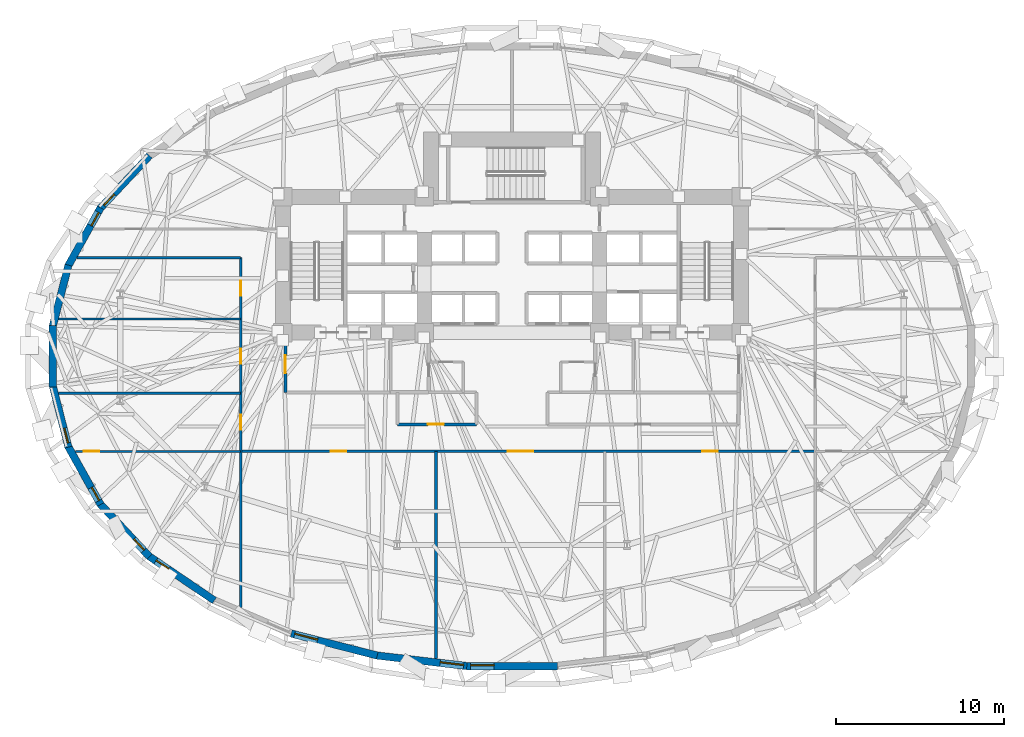
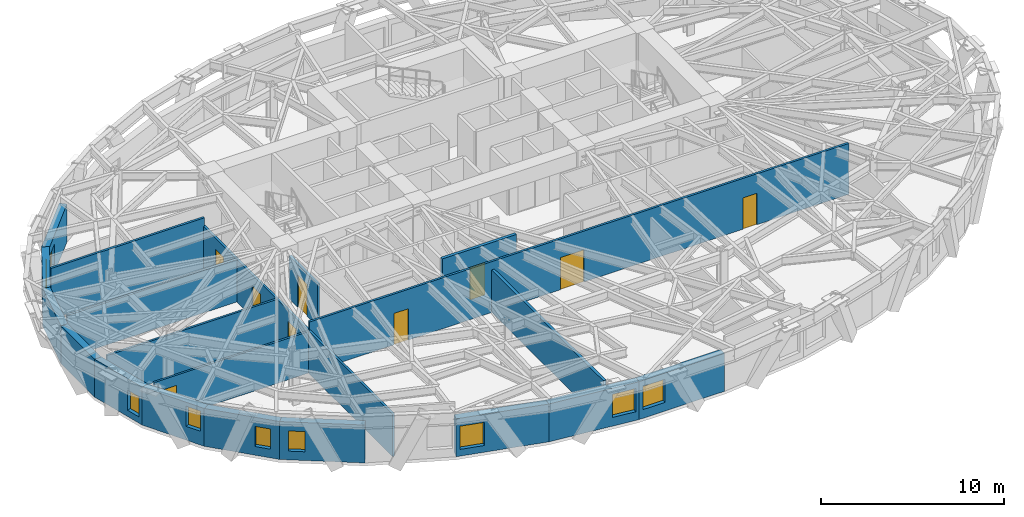
# One storey, part 6 of 14: 20 walls, 9 doors, 9 windows, 18 openings.
"""IFC4 building model written with IfcOpenShell, lengths in metres."""

from ifc_helpers import new_model, si_unit, direction, frame, frame_2d, origin, place, context, subcontext, project, spatial, rectangle, extrude, material, layer, layer_set, type_object, element, fill, save


model = new_model("IFC4")

# Units and contexts
model_context = context("Model", 3, precision=1e-05, world=origin(), true_north=direction((0.0, 1.0)))
body_context = subcontext(model_context, "Body", "Model", "MODEL_VIEW")
ifc_project = project(units=[si_unit("LENGTHUNIT", "METRE"), si_unit("AREAUNIT", "SQUARE_METRE"), si_unit("VOLUMEUNIT", "CUBIC_METRE"), si_unit("PLANEANGLEUNIT", "RADIAN"), si_unit("MASSUNIT", "GRAM", prefix="KILO")], contexts=[model_context])

# Site, building, storey
site_placement = place(None, origin())
site = spatial("IfcSite", under=ifc_project, at=site_placement, CompositionType="ELEMENT")
building_placement = place(site_placement, origin())
building = spatial("IfcBuilding", under=site, at=building_placement, Name="Keldmark Tower", CompositionType="ELEMENT")
storey_placement = place(building_placement, frame((0.0, 0.0, 52.199951171875)))
storey = spatial("IfcBuildingStorey", under=building, at=storey_placement, Name="L13", CompositionType="ELEMENT", Elevation=52.199951171875)

# Wall, openings, doors
ifc_material_1 = material(Name="Acoustic Double-Layer Gypsum Corridor Partition", Category="gypsum")
ifc_layer_1 = layer(ifc_material_1, 0.139892578125)
ifc_layer_set_1 = layer_set([ifc_layer_1], Name="Acoustic Double-Layer Gypsum Corridor Partition")
wall_type_1 = type_object("IfcWallType", Name="Acoustic Corridor Partition 140 mm", PredefinedType="PARTITIONING", material=ifc_layer_set_1)
wall_1_placement = place(storey_placement, frame((-16.10009765625, -5.64990234375, 0.0), z_axis=(0.0, 0.0, 1.0), x_axis=(1.0, 0.0, 0.0)))
wall_1 = element("IfcWall", 1, at=wall_1_placement, inside=storey, type_object=wall_type_1, Name="L13 Acoustic Corridor Partition 140 mm COR-S", PredefinedType="PARTITIONING", context=body_context, shape_type="SweptSolid", body=[
    extrude(rectangle(XDim=34.10009765625, YDim=0.139892578125, at=frame_2d((17.050048828125, 0.0))), origin(), (0.0, 0.0, 1.0), 3.400146484375),
])
opening_1_placement = place(wall_1_placement, frame((5.35009765625, 0.0, 0.0)))
opening_1 = element("IfcOpeningElement", 2, at=opening_1_placement, cuts=wall_1, Name="Opening D-IN090", PredefinedType="OPENING", context=body_context, shape_type="SweptSolid", body=[
    extrude(rectangle(XDim=0.89990234375, YDim=2.10009765625, at=frame_2d((0.449951171875, 1.050048828125))), frame((0.0, 0.079833984375, 0.0), z_axis=(0.0, -1.0, 0.0), x_axis=(1.0, 0.0, 0.0)), (0.0, 0.0, 1.0), 0.159912109375),
])
opening_2_placement = place(wall_1_placement, frame((15.85009765625, 0.0, 0.0)))
opening_2 = element("IfcOpeningElement", 3, at=opening_2_placement, cuts=wall_1, Name="Opening D-CF150", PredefinedType="OPENING", context=body_context, shape_type="SweptSolid", body=[
    extrude(rectangle(XDim=1.5, YDim=2.14990234375, at=frame_2d((0.75, 1.074951171875))), frame((0.0, 0.079833984375, 0.0), z_axis=(0.0, -1.0, 0.0), x_axis=(1.0, 0.0, 0.0)), (0.0, 0.0, 1.0), 0.159912109375),
])
opening_3_placement = place(wall_1_placement, frame((27.39990234375, 0.0, 0.0)))
opening_3 = element("IfcOpeningElement", 4, at=opening_3_placement, cuts=wall_1, Name="Opening D-IN090", PredefinedType="OPENING", context=body_context, shape_type="SweptSolid", body=[
    extrude(rectangle(XDim=0.89990234375, YDim=2.10009765625, at=frame_2d((0.449951171875, 1.050048828125))), frame((0.0, 0.079833984375, 0.0), z_axis=(0.0, -1.0, 0.0), x_axis=(1.0, 0.0, 0.0)), (0.0, 0.0, 1.0), 0.159912109375),
])
ifc_material_2 = material(Name="Acoustic Timber and Tempered Glass Double Door", Category="wood")
door_type_1 = type_object("IfcDoorType", Name="Conference Double Door 1500x2150", OperationType="DOUBLE_DOOR_SINGLE_SWING", PredefinedType="DOOR", material=ifc_material_2)
door_1_placement = place(opening_2_placement, origin())
door_1 = element("IfcDoor", 5, at=door_1_placement, inside=storey, type_object=door_type_1, Name="L13 Conference Double Door 1500x2150 D-SR-2-L13", OperationType="DOUBLE_DOOR_SINGLE_SWING", OverallHeight=2.14990234375, OverallWidth=1.5, PredefinedType="DOOR", context=body_context, shape_type="SweptSolid", body=[
    extrude(rectangle(XDim=1.5, YDim=2.14990234375, at=frame_2d((0.75, 1.074951171875))), frame((0.0, 0.02490234375, 0.0), z_axis=(0.0, -1.0, 0.0), x_axis=(1.0, 0.0, 0.0)), (0.0, 0.0, 1.0), 0.050048828125),
])
fill(opening_2, door_1)
ifc_material_3 = material(Name="Stained American White Oak Veneer", Category="wood")
door_type_2 = type_object("IfcDoorType", Name="Interior Door 900x2100", OperationType="NOTDEFINED", PredefinedType="DOOR", material=ifc_material_3)
door_2_placement = place(opening_1_placement, origin())
door_2 = element("IfcDoor", 6, at=door_2_placement, inside=storey, type_object=door_type_2, Name="L13 Interior Door 900x2100 D-SR-1-L13", OperationType="SINGLE_SWING_LEFT", OverallHeight=2.10009765625, OverallWidth=0.89990234375, PredefinedType="DOOR", context=body_context, shape_type="SweptSolid", body=[
    extrude(rectangle(XDim=0.89990234375, YDim=2.10009765625, at=frame_2d((0.449951171875, 1.050048828125))), frame((0.0, 0.02490234375, 0.0), z_axis=(0.0, -1.0, 0.0), x_axis=(1.0, 0.0, 0.0)), (0.0, 0.0, 1.0), 0.050048828125),
])
fill(opening_1, door_2)
door_3_placement = place(opening_3_placement, origin())
door_3 = element("IfcDoor", 7, at=door_3_placement, inside=storey, type_object=door_type_2, Name="L13 Interior Door 900x2100 D-SR-3-L13", OperationType="SINGLE_SWING_LEFT", OverallHeight=2.10009765625, OverallWidth=0.89990234375, PredefinedType="DOOR", context=body_context, shape_type="SweptSolid", body=[
    extrude(rectangle(XDim=0.89990234375, YDim=2.10009765625, at=frame_2d((0.449951171875, 1.050048828125))), frame((0.0, 0.02490234375, 0.0), z_axis=(0.0, -1.0, 0.0), x_axis=(1.0, 0.0, 0.0)), (0.0, 0.0, 1.0), 0.050048828125),
])
fill(opening_3, door_3)

wall_2_placement = place(storey_placement, frame((-16.10009765625, -14.922119140625, 0.0), z_axis=(0.0, 0.0, 1.0), x_axis=(0.0, 1.0, 0.0)))
wall_2 = element("IfcWall", 8, at=wall_2_placement, inside=storey, type_object=wall_type_1, Name="L13 Acoustic Corridor Partition 140 mm COR-W", PredefinedType="PARTITIONING", context=body_context, shape_type="SweptSolid", body=[
    extrude(rectangle(XDim=20.772216796875, YDim=0.139892578125, at=frame_2d((10.38623046875, 0.0))), origin(), (0.0, 0.0, 1.0), 2.841064453125),
])
opening_4_placement = place(wall_2_placement, frame((10.54736328125, 0.0, 0.0)))
opening_4 = element("IfcOpeningElement", 9, at=opening_4_placement, cuts=wall_2, Name="Opening D-IN090", PredefinedType="OPENING", context=body_context, shape_type="SweptSolid", body=[
    extrude(rectangle(XDim=0.89990234375, YDim=2.10009765625, at=frame_2d((0.449951171875, 1.050048828125))), frame((0.0, 0.079833984375, 0.0), z_axis=(0.0, -1.0, 0.0), x_axis=(1.0, 0.0, 0.0)), (0.0, 0.0, 1.0), 0.159912109375),
])
opening_5_placement = place(wall_2_placement, frame((14.472412109375, 0.0, 0.0)))
opening_5 = element("IfcOpeningElement", 10, at=opening_5_placement, cuts=wall_2, Name="Opening D-IN090", PredefinedType="OPENING", context=body_context, shape_type="SweptSolid", body=[
    extrude(rectangle(XDim=0.89990234375, YDim=2.10009765625, at=frame_2d((0.449951171875, 1.050048828125))), frame((0.0, 0.079833984375, 0.0), z_axis=(0.0, -1.0, 0.0), x_axis=(1.0, 0.0, 0.0)), (0.0, 0.0, 1.0), 0.159912109375),
])
opening_6_placement = place(wall_2_placement, frame((18.497314453125, 0.0, 0.0)))
opening_6 = element("IfcOpeningElement", 11, at=opening_6_placement, cuts=wall_2, Name="Opening D-IN090", PredefinedType="OPENING", context=body_context, shape_type="SweptSolid", body=[
    extrude(rectangle(XDim=0.89990234375, YDim=2.10009765625, at=frame_2d((0.449951171875, 1.050048828125))), frame((0.0, 0.079833984375, 0.0), z_axis=(0.0, -1.0, 0.0), x_axis=(1.0, 0.0, 0.0)), (0.0, 0.0, 1.0), 0.159912109375),
])
door_4_placement = place(opening_4_placement, origin())
door_4 = element("IfcDoor", 12, at=door_4_placement, inside=storey, type_object=door_type_2, Name="L13 Interior Door 900x2100 D-WR-1-L13", OperationType="SINGLE_SWING_LEFT", OverallHeight=2.10009765625, OverallWidth=0.89990234375, PredefinedType="DOOR", context=body_context, shape_type="SweptSolid", body=[
    extrude(rectangle(XDim=0.89990234375, YDim=2.10009765625, at=frame_2d((0.449951171875, 1.050048828125))), frame((0.0, 0.02490234375, 0.0), z_axis=(0.0, -1.0, 0.0), x_axis=(1.0, 0.0, 0.0)), (0.0, 0.0, 1.0), 0.050048828125),
])
fill(opening_4, door_4)
door_5_placement = place(opening_5_placement, origin())
door_5 = element("IfcDoor", 13, at=door_5_placement, inside=storey, type_object=door_type_2, Name="L13 Interior Door 900x2100 D-WR-2-L13", OperationType="SINGLE_SWING_RIGHT", OverallHeight=2.10009765625, OverallWidth=0.89990234375, PredefinedType="DOOR", context=body_context, shape_type="SweptSolid", body=[
    extrude(rectangle(XDim=0.89990234375, YDim=2.10009765625, at=frame_2d((0.449951171875, 1.050048828125))), frame((0.0, 0.02490234375, 0.0), z_axis=(0.0, -1.0, 0.0), x_axis=(1.0, 0.0, 0.0)), (0.0, 0.0, 1.0), 0.050048828125),
])
fill(opening_5, door_5)
door_6_placement = place(opening_6_placement, origin())
door_6 = element("IfcDoor", 14, at=door_6_placement, inside=storey, type_object=door_type_2, Name="L13 Interior Door 900x2100 D-WR-3-L13", OperationType="SINGLE_SWING_LEFT", OverallHeight=2.10009765625, OverallWidth=0.89990234375, PredefinedType="DOOR", context=body_context, shape_type="SweptSolid", body=[
    extrude(rectangle(XDim=0.89990234375, YDim=2.10009765625, at=frame_2d((0.449951171875, 1.050048828125))), frame((0.0, 0.02490234375, 0.0), z_axis=(0.0, -1.0, 0.0), x_axis=(1.0, 0.0, 0.0)), (0.0, 0.0, 1.0), 0.050048828125),
])
fill(opening_6, door_6)

# Walls
wall_3_placement = place(storey_placement, frame((-25.8046875, 5.85009765625, 0.0), z_axis=(0.0, 0.0, 1.0), x_axis=(1.0, 0.0, 0.0)))
element("IfcWall", 15, at=wall_3_placement, inside=storey, type_object=wall_type_1, Name="L13 Acoustic Corridor Partition 140 mm COR-WA-S", PredefinedType="PARTITIONING", context=body_context, shape_type="SweptSolid", body=[
    extrude(rectangle(XDim=9.70458984375, YDim=0.139892578125, at=frame_2d((4.852294921875, 0.0))), origin(), (0.0, 0.0, 1.0), 3.400146484375),
])
ifc_material_4 = material(Name="STC-58 Insulated Tenant Demising Gypsum Partition", Category="gypsum")
ifc_layer_2 = layer(ifc_material_4, 0.175048828125)
ifc_layer_set_2 = layer_set([ifc_layer_2], Name="STC-58 Insulated Tenant Demising Gypsum Partition")
wall_type_2 = type_object("IfcWallType", Name="Demising Suite Partition 175 mm", PredefinedType="PARTITIONING", material=ifc_layer_set_2)
wall_4_placement = place(storey_placement, frame((-4.5, -17.94921875, 0.0), z_axis=(0.0, 0.0, 1.0), x_axis=(0.0, 1.0, 0.0)))
element("IfcWall", 16, at=wall_4_placement, inside=storey, type_object=wall_type_2, Name="L13 Demising Suite Partition 175 mm S-DIV-1", PredefinedType="PARTITIONING", context=body_context, shape_type="SweptSolid", body=[
    extrude(rectangle(XDim=12.29931640625, YDim=0.175048828125, at=frame_2d((6.149658203125, 0.0))), origin(), (0.0, 0.0, 1.0), 2.85302734375),
])

# Wall, opening, door
ifc_material_5 = material(Name="Heavy Acoustic Plumbing Chase Gypsum Assembly", Category="gypsum")
ifc_layer_3 = layer(ifc_material_5, 0.18994140625)
ifc_layer_set_3 = layer_set([ifc_layer_3], Name="Heavy Acoustic Plumbing Chase Gypsum Assembly")
wall_type_3 = type_object("IfcWallType", Name="Heavy Wet Wall 190 mm", PredefinedType="PLUMBINGWALL", material=ifc_layer_set_3)
wall_5_placement = place(storey_placement, frame((-6.800048828125, -4.050048828125, 0.0), z_axis=(0.0, 0.0, 1.0), x_axis=(1.0, 0.0, 0.0)))
wall_5 = element("IfcWall", 17, at=wall_5_placement, inside=storey, type_object=wall_type_3, Name="L13 Heavy Wet Wall 190 mm SPK-W-S", PredefinedType="PLUMBINGWALL", context=body_context, shape_type="SweptSolid", body=[
    extrude(rectangle(XDim=4.699951171875, YDim=0.18994140625, at=frame_2d((2.35009765625, 0.0))), origin(), (0.0, 0.0, 1.0), 3.400146484375),
])
opening_7_placement = place(wall_5_placement, frame((1.800048828125, 0.0, 0.0)))
opening_7 = element("IfcOpeningElement", 18, at=opening_7_placement, cuts=wall_5, Name="Opening D-AWC95", PredefinedType="OPENING", context=body_context, shape_type="SweptSolid", body=[
    extrude(rectangle(XDim=0.949951171875, YDim=2.14990234375, at=frame_2d((0.47509765625, 1.074951171875))), frame((0.0, 0.10498046875, 0.0), z_axis=(0.0, -1.0, 0.0), x_axis=(1.0, 0.0, 0.0)), (0.0, 0.0, 1.0), 0.2099609375),
])
ifc_material_6 = material(Name="Painted Solid-Core Architectural Wood", Category="wood")
door_type_3 = type_object("IfcDoorType", Name="Accessible WC Door 950x2150", OperationType="NOTDEFINED", PredefinedType="DOOR", material=ifc_material_6)
door_7_placement = place(opening_7_placement, origin())
door_7 = element("IfcDoor", 19, at=door_7_placement, inside=storey, type_object=door_type_3, Name="L13 Accessible WC Door 950x2150 D-SPKW1-L13", OperationType="SINGLE_SWING_LEFT", OverallHeight=2.14990234375, OverallWidth=0.949951171875, PredefinedType="DOOR", context=body_context, shape_type="SweptSolid", body=[
    extrude(rectangle(XDim=0.949951171875, YDim=2.14990234375, at=frame_2d((0.47509765625, 1.074951171875))), frame((0.0, 0.02490234375, 0.0), z_axis=(0.0, -1.0, 0.0), x_axis=(1.0, 0.0, 0.0)), (0.0, 0.0, 1.0), 0.050048828125),
])
fill(opening_7, door_7)

ifc_material_7 = material(Name="Acoustic Gypsum Board Interior Partition", Category="gypsum")
ifc_layer_4 = layer(ifc_material_7, 0.1298828125)
ifc_layer_set_4 = layer_set([ifc_layer_4], Name="Acoustic Gypsum Board Interior Partition")
wall_type_4 = type_object("IfcWallType", Name="Interior Partition 130 mm", PredefinedType="PARTITIONING", material=ifc_layer_set_4)
wall_6_placement = place(storey_placement, frame((-25.91650390625, -5.64990234375, 0.0), z_axis=(0.0, 0.0, 1.0), x_axis=(1.0, 0.0, 0.0)))
wall_6 = element("IfcWall", 20, at=wall_6_placement, inside=storey, type_object=wall_type_4, Name="L13 Interior Partition 130 mm W-CAP-S", PredefinedType="PARTITIONING", context=body_context, shape_type="SweptSolid", body=[
    extrude(rectangle(XDim=9.81640625, YDim=0.1298828125, at=frame_2d((4.908203125, 0.0))), origin(), (0.0, 0.0, 1.0), 2.779052734375),
])
opening_8_placement = place(wall_6_placement, frame((0.510009765625, 0.0, 0.0)))
opening_8 = element("IfcOpeningElement", 21, at=opening_8_placement, cuts=wall_6, Name="Opening D-IN090", PredefinedType="OPENING", context=body_context, shape_type="SweptSolid", body=[
    extrude(rectangle(XDim=0.89990234375, YDim=2.10009765625, at=frame_2d((0.449951171875, 1.050048828125))), frame((0.0, 0.074951171875, 0.0), z_axis=(0.0, -1.0, 0.0), x_axis=(1.0, 0.0, 0.0)), (0.0, 0.0, 1.0), 0.14990234375),
])
door_8_placement = place(opening_8_placement, origin())
door_8 = element("IfcDoor", 22, at=door_8_placement, inside=storey, type_object=door_type_2, Name="L13 Interior Door 900x2100 D-WRSW-L13", OperationType="SINGLE_SWING_LEFT", OverallHeight=2.10009765625, OverallWidth=0.89990234375, PredefinedType="DOOR", context=body_context, shape_type="SweptSolid", body=[
    extrude(rectangle(XDim=0.89990234375, YDim=2.10009765625, at=frame_2d((0.449951171875, 1.050048828125))), frame((0.0, 0.02490234375, 0.0), z_axis=(0.0, -1.0, 0.0), x_axis=(1.0, 0.0, 0.0)), (0.0, 0.0, 1.0), 0.050048828125),
])
fill(opening_8, door_8)

# Walls
for number, where, z_axis, x_axis, name in (
    (23, (-26.909423828125, -2.199951171875, 0.0), (0.0, 0.0, 1.0), (1.0, 0.0, 0.0), "L13 Interior Partition 130 mm W-DIV-1"),
    (24, (-26.909423828125, 2.199951171875, 0.0), (0.0, 0.0, 1.0), (1.0, 0.0, 0.0), "L13 Interior Partition 130 mm W-DIV-2"),
):
    element("IfcWall", number, at=place(storey_placement, frame(where, z_axis=z_axis, x_axis=x_axis)), inside=storey, type_object=wall_type_4, Name=name, PredefinedType="PARTITIONING", context=body_context, shape_type="SweptSolid", body=[
        extrude(rectangle(XDim=10.809326171875, YDim=0.1298828125, at=frame_2d((5.40478515625, 0.0))), origin(), (0.0, 0.0, 1.0), 2.841064453125),
    ])

# Wall, opening, door
ifc_material_8 = material(Name="Type X Fire-Rated Gypsum Partition Assembly", Category="gypsum")
ifc_layer_5 = layer(ifc_material_8, 0.1650390625)
ifc_layer_set_5 = layer_set([ifc_layer_5], Name="Type X Fire-Rated Gypsum Partition Assembly")
wall_type_5 = type_object("IfcWallType", Name="Rated Partition 165 mm", PredefinedType="PARTITIONING", material=ifc_layer_set_5)
wall_7_placement = place(storey_placement, frame((-13.449951171875, -2.14990234375, 0.0), z_axis=(0.0, 0.0, 1.0), x_axis=(0.0, 1.0, 0.0)))
wall_7 = element("IfcWall", 25, at=wall_7_placement, inside=storey, type_object=wall_type_5, Name="L13 Rated Partition 165 mm FSAE-W-W", PredefinedType="PARTITIONING", context=body_context, shape_type="SweptSolid", body=[
    extrude(rectangle(XDim=3.14990234375, YDim=0.1650390625, at=frame_2d((1.574951171875, 0.0))), origin(), (0.0, 0.0, 1.0), 2.85302734375),
])
opening_9_placement = place(wall_7_placement, frame((1.14990234375, 0.0, 0.0)))
opening_9 = element("IfcOpeningElement", 26, at=opening_9_placement, cuts=wall_7, Name="Opening D-FL105", PredefinedType="OPENING", context=body_context, shape_type="SweptSolid", body=[
    extrude(rectangle(XDim=1.050048828125, YDim=2.14990234375, at=frame_2d((0.52490234375, 1.074951171875))), frame((0.0, 0.092529296875, 0.0), z_axis=(0.0, -1.0, 0.0), x_axis=(1.0, 0.0, 0.0)), (0.0, 0.0, 1.0), 0.18505859375),
])
ifc_material_9 = material(Name="Fire-Rated Mineral-Core Door and Vision Lite", Category="metal")
door_type_4 = type_object("IfcDoorType", Name="Fire Lobby Door 1050x2150", OperationType="NOTDEFINED", PredefinedType="DOOR", material=ifc_material_9)
door_9_placement = place(opening_9_placement, origin())
door_9 = element("IfcDoor", 27, at=door_9_placement, inside=storey, type_object=door_type_4, Name="L13 Fire Lobby Door 1050x2150 D-FSAEW-OUT-L13", OperationType="SINGLE_SWING_LEFT", OverallHeight=2.14990234375, OverallWidth=1.050048828125, PredefinedType="DOOR", context=body_context, shape_type="SweptSolid", body=[
    extrude(rectangle(XDim=1.050048828125, YDim=2.14990234375, at=frame_2d((0.52490234375, 1.074951171875))), frame((0.0, 0.02490234375, 0.0), z_axis=(0.0, -1.0, 0.0), x_axis=(1.0, 0.0, 0.0)), (0.0, 0.0, 1.0), 0.050048828125),
])
fill(opening_9, door_9)

# Wall, opening, window
ifc_material_10 = material(Name="Ironspot Manganese Brick and Kasota Buff Limestone Spandrel Assembly", Category="masonry")
ifc_layer_6 = layer(ifc_material_10, 0.43994140625)
ifc_layer_set_6 = layer_set([ifc_layer_6], Name="Ironspot Manganese Brick and Kasota Buff Limestone Spandrel Assembly")
wall_type_6 = type_object("IfcWallType", Name="Tower Brick Pier and Spandrel Wall 440 mm", PredefinedType="STANDARD", material=ifc_layer_set_6)
wall_8_placement = place(storey_placement, frame((-24.44775390625, 8.7626953125, 0.0), z_axis=(0.0, 0.0, 1.0), x_axis=(0.68299392258, 0.730424056093, 0.0)))
wall_8 = element("IfcWall", 28, at=wall_8_placement, inside=storey, type_object=wall_type_6, Name="L13 Exterior Brick and Spandrel Wall 13", PredefinedType="STANDARD", context=body_context, shape_type="SweptSolid", body=[
    extrude(rectangle(XDim=4.298095703125, YDim=0.43994140625, at=frame_2d((2.14892578125, 0.0))), origin(), (0.0, 0.0, 1.0), 2.532958984375),
])
opening_10_placement = place(wall_8_placement, frame((0.2998046875, 0.0, 0.580078125)))
opening_10 = element("IfcOpeningElement", 29, at=opening_10_placement, cuts=wall_8, Name="Opening W-09", PredefinedType="OPENING", context=body_context, shape_type="SweptSolid", body=[
    extrude(rectangle(XDim=0.89990234375, YDim=1.35009765625, at=frame_2d((0.449951171875, 0.675048828125))), frame((0.0, 0.22998046875, 0.0), z_axis=(0.0, -1.0, 0.0), x_axis=(1.0, 0.0, 0.0)), (0.0, 0.0, 1.0), 0.4599609375),
])
ifc_material_11 = material(Name="Thermally Broken Anodized Aluminum and Triple Low-E Argon Glazing", Category="aluminium")
window_type_1 = type_object("IfcWindowType", Name="Corner Pier Deep-Set Window 900x1350", PartitioningType="SINGLE_PANEL", PredefinedType="WINDOW", material=ifc_material_11)
window_1_placement = place(opening_10_placement, origin())
window_1 = element("IfcWindow", 30, at=window_1_placement, inside=storey, type_object=window_type_1, Name="L13 Deep-Set Window 13", OverallHeight=1.35009765625, OverallWidth=0.89990234375, PartitioningType="SINGLE_PANEL", PredefinedType="WINDOW", context=body_context, shape_type="SweptSolid", body=[
    extrude(rectangle(XDim=0.89990234375, YDim=1.35009765625, at=frame_2d((0.449951171875, 0.675048828125))), frame((0.0, -0.010009765625, 0.0), z_axis=(0.0, -1.0, 0.0), x_axis=(1.0, 0.0, 0.0)), (0.0, 0.0, 1.0), 0.06005859375),
])
fill(opening_10, window_1)

wall_9_placement = place(storey_placement, frame((-26.34619140625, 5.347900390625, 0.0), z_axis=(0.0, 0.0, 1.0), x_axis=(0.487369438963, 0.873195871477, 0.0)))
wall_9 = element("IfcWall", 31, at=wall_9_placement, inside=storey, type_object=wall_type_6, Name="L13 Exterior Brick and Spandrel Wall 14", PredefinedType="STANDARD", context=body_context, shape_type="SweptSolid", body=[
    extrude(rectangle(XDim=3.9599609375, YDim=0.43994140625, at=frame_2d((1.97998046875, 0.0))), origin(), (0.0, 0.0, 1.0), 2.532958984375),
])
opening_11_placement = place(wall_9_placement, frame((2.761474609375, 0.0, 0.580078125)))
opening_11 = element("IfcOpeningElement", 32, at=opening_11_placement, cuts=wall_9, Name="Opening W-09", PredefinedType="OPENING", context=body_context, shape_type="SweptSolid", body=[
    extrude(rectangle(XDim=0.89990234375, YDim=1.35009765625, at=frame_2d((0.449951171875, 0.675048828125))), frame((0.0, 0.22998046875, 0.0), z_axis=(0.0, -1.0, 0.0), x_axis=(1.0, 0.0, 0.0)), (0.0, 0.0, 1.0), 0.4599609375),
])
window_2_placement = place(opening_11_placement, origin())
window_2 = element("IfcWindow", 33, at=window_2_placement, inside=storey, type_object=window_type_1, Name="L13 Deep-Set Window 14", OverallHeight=1.35009765625, OverallWidth=0.89990234375, PartitioningType="SINGLE_PANEL", PredefinedType="WINDOW", context=body_context, shape_type="SweptSolid", body=[
    extrude(rectangle(XDim=0.89990234375, YDim=1.35009765625, at=frame_2d((0.449951171875, 0.675048828125))), frame((0.0, -0.010009765625, 0.0), z_axis=(0.0, -1.0, 0.0), x_axis=(1.0, 0.0, 0.0)), (0.0, 0.0, 1.0), 0.06005859375),
])
fill(opening_11, window_2)

# Walls
wall_10_placement = place(storey_placement, frame((-27.252685546875, 1.7783203125, 0.0), z_axis=(0.0, 0.0, 1.0), x_axis=(0.248062710061, 0.968743976434, 0.0)))
element("IfcWall", 34, at=wall_10_placement, inside=storey, type_object=wall_type_6, Name="L13 Exterior Brick and Spandrel Wall 15", PredefinedType="STANDARD", context=body_context, shape_type="SweptSolid", body=[
    extrude(rectangle(XDim=3.739013671875, YDim=0.43994140625, at=frame_2d((1.86962890625, 0.0))), origin(), (0.0, 0.0, 1.0), 2.532958984375),
])
wall_11_placement = place(storey_placement, frame((-27.245849609375, -1.8330078125, 0.0), z_axis=(0.0, 0.0, 1.0), x_axis=(0.0, 1.0, 0.0)))
element("IfcWall", 35, at=wall_11_placement, inside=storey, type_object=wall_type_6, Name="L13 Exterior Brick and Spandrel Wall 16", PredefinedType="STANDARD", context=body_context, shape_type="SweptSolid", body=[
    extrude(rectangle(XDim=3.666015625, YDim=0.43994140625, at=frame_2d((1.8330078125, 0.0))), origin(), (0.0, 0.0, 1.0), 2.532958984375),
])

# Wall, opening, window
wall_12_placement = place(storey_placement, frame((-26.3251953125, -5.400390625, 0.0), z_axis=(0.0, 0.0, 1.0), x_axis=(-0.248062710061, 0.968743976434, 0.0)))
wall_12 = element("IfcWall", 36, at=wall_12_placement, inside=storey, type_object=wall_type_6, Name="L13 Exterior Brick and Spandrel Wall 17", PredefinedType="STANDARD", context=body_context, shape_type="SweptSolid", body=[
    extrude(rectangle(XDim=3.739013671875, YDim=0.43994140625, at=frame_2d((1.86962890625, 0.0))), origin(), (0.0, 0.0, 1.0), 2.532958984375),
])
opening_12_placement = place(wall_12_placement, frame((0.249755859375, 0.0, 0.419921875)))
opening_12 = element("IfcOpeningElement", 37, at=opening_12_placement, cuts=wall_12, Name="Opening W-09", PredefinedType="OPENING", context=body_context, shape_type="SweptSolid", body=[
    extrude(rectangle(XDim=0.89990234375, YDim=1.35009765625, at=frame_2d((0.449951171875, 0.675048828125))), frame((0.0, 0.22998046875, 0.0), z_axis=(0.0, -1.0, 0.0), x_axis=(1.0, 0.0, 0.0)), (0.0, 0.0, 1.0), 0.4599609375),
])
window_3_placement = place(opening_12_placement, origin())
window_3 = element("IfcWindow", 38, at=window_3_placement, inside=storey, type_object=window_type_1, Name="L13 Deep-Set Window 17", OverallHeight=1.35009765625, OverallWidth=0.89990234375, PartitioningType="SINGLE_PANEL", PredefinedType="WINDOW", context=body_context, shape_type="SweptSolid", body=[
    extrude(rectangle(XDim=0.89990234375, YDim=1.35009765625, at=frame_2d((0.449951171875, 0.675048828125))), frame((0.0, -0.010009765625, 0.0), z_axis=(0.0, -1.0, 0.0), x_axis=(1.0, 0.0, 0.0)), (0.0, 0.0, 1.0), 0.06005859375),
])
fill(opening_12, window_3)

wall_13_placement = place(storey_placement, frame((-24.416259765625, -8.8056640625, 0.0), z_axis=(0.0, 0.0, 1.0), x_axis=(-0.487369438963, 0.873195871477, 0.0)))
wall_13 = element("IfcWall", 39, at=wall_13_placement, inside=storey, type_object=wall_type_6, Name="L13 Exterior Brick and Spandrel Wall 18", PredefinedType="STANDARD", context=body_context, shape_type="SweptSolid", body=[
    extrude(rectangle(XDim=3.9599609375, YDim=0.43994140625, at=frame_2d((1.97998046875, 0.0))), origin(), (0.0, 0.0, 1.0), 2.532958984375),
])
opening_13_placement = place(wall_13_placement, frame((0.249267578125, 0.0, 0.919921875)))
opening_13 = element("IfcOpeningElement", 40, at=opening_13_placement, cuts=wall_13, Name="Opening W-09", PredefinedType="OPENING", context=body_context, shape_type="SweptSolid", body=[
    extrude(rectangle(XDim=0.89990234375, YDim=1.35009765625, at=frame_2d((0.449951171875, 0.675048828125))), frame((0.0, 0.22998046875, 0.0), z_axis=(0.0, -1.0, 0.0), x_axis=(1.0, 0.0, 0.0)), (0.0, 0.0, 1.0), 0.4599609375),
])
window_4_placement = place(opening_13_placement, origin())
window_4 = element("IfcWindow", 41, at=window_4_placement, inside=storey, type_object=window_type_1, Name="L13 Deep-Set Window 18", OverallHeight=1.35009765625, OverallWidth=0.89990234375, PartitioningType="SINGLE_PANEL", PredefinedType="WINDOW", context=body_context, shape_type="SweptSolid", body=[
    extrude(rectangle(XDim=0.89990234375, YDim=1.35009765625, at=frame_2d((0.449951171875, 0.675048828125))), frame((0.0, -0.010009765625, 0.0), z_axis=(0.0, -1.0, 0.0), x_axis=(1.0, 0.0, 0.0)), (0.0, 0.0, 1.0), 0.06005859375),
])
fill(opening_13, window_4)

wall_14_placement = place(storey_placement, frame((-21.51220703125, -11.902099609375, 0.0), z_axis=(0.0, 0.0, 1.0), x_axis=(-0.68299392258, 0.730424056093, 0.0)))
wall_14 = element("IfcWall", 42, at=wall_14_placement, inside=storey, type_object=wall_type_6, Name="L13 Exterior Brick and Spandrel Wall 19", PredefinedType="STANDARD", context=body_context, shape_type="SweptSolid", body=[
    extrude(rectangle(XDim=4.298095703125, YDim=0.43994140625, at=frame_2d((2.14892578125, 0.0))), origin(), (0.0, 0.0, 1.0), 2.532958984375),
])
opening_14_placement = place(wall_14_placement, frame((0.499755859375, 0.0, 0.580078125)))
opening_14 = element("IfcOpeningElement", 43, at=opening_14_placement, cuts=wall_14, Name="Opening W-09", PredefinedType="OPENING", context=body_context, shape_type="SweptSolid", body=[
    extrude(rectangle(XDim=0.89990234375, YDim=1.35009765625, at=frame_2d((0.449951171875, 0.675048828125))), frame((0.0, 0.22998046875, 0.0), z_axis=(0.0, -1.0, 0.0), x_axis=(1.0, 0.0, 0.0)), (0.0, 0.0, 1.0), 0.4599609375),
])
window_5_placement = place(opening_14_placement, origin())
window_5 = element("IfcWindow", 44, at=window_5_placement, inside=storey, type_object=window_type_1, Name="L13 Deep-Set Window 19", OverallHeight=1.35009765625, OverallWidth=0.89990234375, PartitioningType="SINGLE_PANEL", PredefinedType="WINDOW", context=body_context, shape_type="SweptSolid", body=[
    extrude(rectangle(XDim=0.89990234375, YDim=1.35009765625, at=frame_2d((0.449951171875, 0.675048828125))), frame((0.0, -0.010009765625, 0.0), z_axis=(0.0, -1.0, 0.0), x_axis=(1.0, 0.0, 0.0)), (0.0, 0.0, 1.0), 0.06005859375),
])
fill(opening_14, window_5)

wall_15_placement = place(storey_placement, frame((-17.6630859375, -14.503662109375, 0.0), z_axis=(0.0, 0.0, 1.0), x_axis=(-0.827825981515, 0.560984976919, 0.0)))
wall_15 = element("IfcWall", 45, at=wall_15_placement, inside=storey, type_object=wall_type_6, Name="L13 Exterior Brick and Spandrel Wall 20", PredefinedType="STANDARD", context=body_context, shape_type="SweptSolid", body=[
    extrude(rectangle(XDim=4.694580078125, YDim=0.43994140625, at=frame_2d((2.34716796875, 0.0))), origin(), (0.0, 0.0, 1.0), 2.532958984375),
])
opening_15_placement = place(wall_15_placement, frame((3.294921875, 0.0, 0.580078125)))
opening_15 = element("IfcOpeningElement", 46, at=opening_15_placement, cuts=wall_15, Name="Opening W-09", PredefinedType="OPENING", context=body_context, shape_type="SweptSolid", body=[
    extrude(rectangle(XDim=0.89990234375, YDim=1.35009765625, at=frame_2d((0.449951171875, 0.675048828125))), frame((0.0, 0.22998046875, 0.0), z_axis=(0.0, -1.0, 0.0), x_axis=(1.0, 0.0, 0.0)), (0.0, 0.0, 1.0), 0.4599609375),
])
window_6_placement = place(opening_15_placement, origin())
window_6 = element("IfcWindow", 47, at=window_6_placement, inside=storey, type_object=window_type_1, Name="L13 Deep-Set Window 20", OverallHeight=1.35009765625, OverallWidth=0.89990234375, PartitioningType="SINGLE_PANEL", PredefinedType="WINDOW", context=body_context, shape_type="SweptSolid", body=[
    extrude(rectangle(XDim=0.89990234375, YDim=1.35009765625, at=frame_2d((0.449951171875, 0.675048828125))), frame((0.0, -0.010009765625, 0.0), z_axis=(0.0, -1.0, 0.0), x_axis=(1.0, 0.0, 0.0)), (0.0, 0.0, 1.0), 0.06005859375),
])
fill(opening_15, window_6)

wall_16_placement = place(storey_placement, frame((-7.99560546875, -17.76953125, 0.0), z_axis=(0.0, 0.0, 1.0), x_axis=(-0.968705592422, 0.248212560542, 0.0)))
wall_16 = element("IfcWall", 48, at=wall_16_placement, inside=storey, type_object=wall_type_6, Name="L13 Exterior Brick and Spandrel Wall 22", PredefinedType="STANDARD", context=body_context, shape_type="SweptSolid", body=[
    extrude(rectangle(XDim=5.26806640625, YDim=0.43994140625, at=frame_2d((2.634033203125, 0.0))), origin(), (0.0, 0.0, 1.0), 2.532958984375),
])
opening_16_placement = place(wall_16_placement, frame((3.66796875, 0.0, 0.449951171875)))
opening_16 = element("IfcOpeningElement", 49, at=opening_16_placement, cuts=wall_16, Name="Opening W-08", PredefinedType="OPENING", context=body_context, shape_type="SweptSolid", body=[
    extrude(rectangle(XDim=1.39990234375, YDim=1.550048828125, at=frame_2d((0.699951171875, 0.77490234375))), frame((0.0, 0.22998046875, 0.0), z_axis=(0.0, -1.0, 0.0), x_axis=(1.0, 0.0, 0.0)), (0.0, 0.0, 1.0), 0.4599609375),
])
ifc_material_12 = material(Name="Thermally Broken Anodized Aluminum and Triple Low-E Argon Glazing", Category="aluminium")
window_type_2 = type_object("IfcWindowType", Name="Residential Corner Punched Window 1400x1550", PartitioningType="SINGLE_PANEL", PredefinedType="WINDOW", material=ifc_material_12)
window_7_placement = place(opening_16_placement, origin())
window_7 = element("IfcWindow", 50, at=window_7_placement, inside=storey, type_object=window_type_2, Name="L13 Deep-Set Window 22", OverallHeight=1.550048828125, OverallWidth=1.39990234375, PartitioningType="SINGLE_PANEL", PredefinedType="WINDOW", context=body_context, shape_type="SweptSolid", body=[
    extrude(rectangle(XDim=1.39990234375, YDim=1.550048828125, at=frame_2d((0.699951171875, 0.77490234375))), frame((0.0, -0.010009765625, 0.0), z_axis=(0.0, -1.0, 0.0), x_axis=(1.0, 0.0, 0.0)), (0.0, 0.0, 1.0), 0.06005859375),
])
fill(opening_16, window_7)

wall_17_placement = place(storey_placement, frame((-2.679443359375, -18.392578125, 0.0), z_axis=(0.0, 0.0, 1.0), x_axis=(-0.993159890371, 0.116762289112, 0.0)))
wall_17 = element("IfcWall", 51, at=wall_17_placement, inside=storey, type_object=wall_type_6, Name="L13 Exterior Brick and Spandrel Wall 23", PredefinedType="STANDARD", context=body_context, shape_type="SweptSolid", body=[
    extrude(rectangle(XDim=5.382080078125, YDim=0.43994140625, at=frame_2d((2.69091796875, 0.0))), origin(), (0.0, 0.0, 1.0), 2.532958984375),
])
opening_17_placement = place(wall_17_placement, frame((0.199951171875, 0.0, 0.580078125)))
opening_17 = element("IfcOpeningElement", 52, at=opening_17_placement, cuts=wall_17, Name="Opening W-08", PredefinedType="OPENING", context=body_context, shape_type="SweptSolid", body=[
    extrude(rectangle(XDim=1.39990234375, YDim=1.550048828125, at=frame_2d((0.699951171875, 0.77490234375))), frame((0.0, 0.22998046875, 0.0), z_axis=(0.0, -1.0, 0.0), x_axis=(1.0, 0.0, 0.0)), (0.0, 0.0, 1.0), 0.4599609375),
])
window_8_placement = place(opening_17_placement, origin())
window_8 = element("IfcWindow", 53, at=window_8_placement, inside=storey, type_object=window_type_2, Name="L13 Deep-Set Window 23", OverallHeight=1.550048828125, OverallWidth=1.39990234375, PartitioningType="SINGLE_PANEL", PredefinedType="WINDOW", context=body_context, shape_type="SweptSolid", body=[
    extrude(rectangle(XDim=1.39990234375, YDim=1.550048828125, at=frame_2d((0.699951171875, 0.77490234375))), frame((0.0, -0.010009765625, 0.0), z_axis=(0.0, -1.0, 0.0), x_axis=(1.0, 0.0, 0.0)), (0.0, 0.0, 1.0), 0.06005859375),
])
fill(opening_17, window_8)

wall_18_placement = place(storey_placement, frame((2.705078125, -18.39111328125, 0.0), z_axis=(0.0, 0.0, 1.0), x_axis=(-1.0, 0.0, 0.0)))
wall_18 = element("IfcWall", 54, at=wall_18_placement, inside=storey, type_object=wall_type_6, Name="L13 Exterior Brick and Spandrel Wall 24", PredefinedType="STANDARD", context=body_context, shape_type="SweptSolid", body=[
    extrude(rectangle(XDim=5.41015625, YDim=0.43994140625, at=frame_2d((2.705078125, 0.0))), origin(), (0.0, 0.0, 1.0), 2.532958984375),
])
opening_18_placement = place(wall_18_placement, frame((3.760986328125, 0.0, 0.580078125)))
opening_18 = element("IfcOpeningElement", 55, at=opening_18_placement, cuts=wall_18, Name="Opening W-08", PredefinedType="OPENING", context=body_context, shape_type="SweptSolid", body=[
    extrude(rectangle(XDim=1.39990234375, YDim=1.550048828125, at=frame_2d((0.699951171875, 0.77490234375))), frame((0.0, 0.22998046875, 0.0), z_axis=(0.0, -1.0, 0.0), x_axis=(1.0, 0.0, 0.0)), (0.0, 0.0, 1.0), 0.4599609375),
])
window_9_placement = place(opening_18_placement, origin())
window_9 = element("IfcWindow", 56, at=window_9_placement, inside=storey, type_object=window_type_2, Name="L13 Deep-Set Window 24", OverallHeight=1.550048828125, OverallWidth=1.39990234375, PartitioningType="SINGLE_PANEL", PredefinedType="WINDOW", context=body_context, shape_type="SweptSolid", body=[
    extrude(rectangle(XDim=1.39990234375, YDim=1.550048828125, at=frame_2d((0.699951171875, 0.77490234375))), frame((0.0, -0.010009765625, 0.0), z_axis=(0.0, -1.0, 0.0), x_axis=(1.0, 0.0, 0.0)), (0.0, 0.0, 1.0), 0.06005859375),
])
fill(opening_18, window_9)

save(model, "model.ifc")
